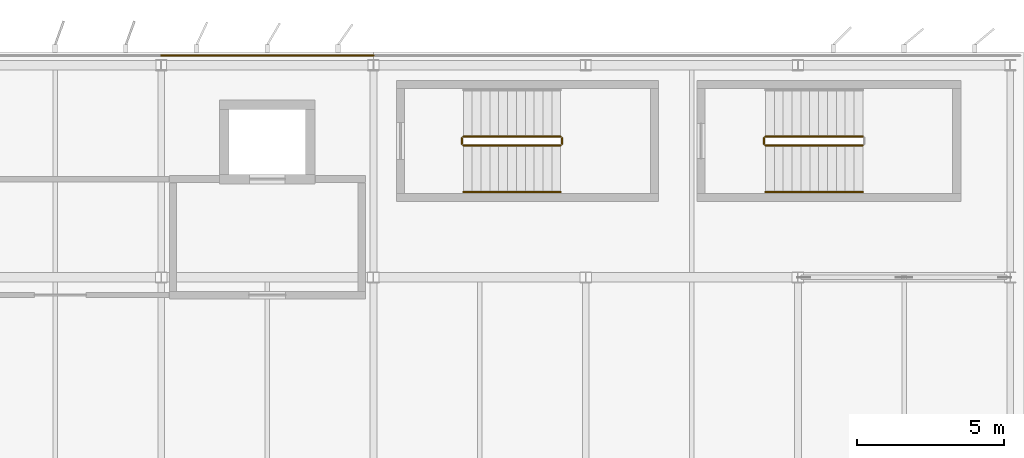
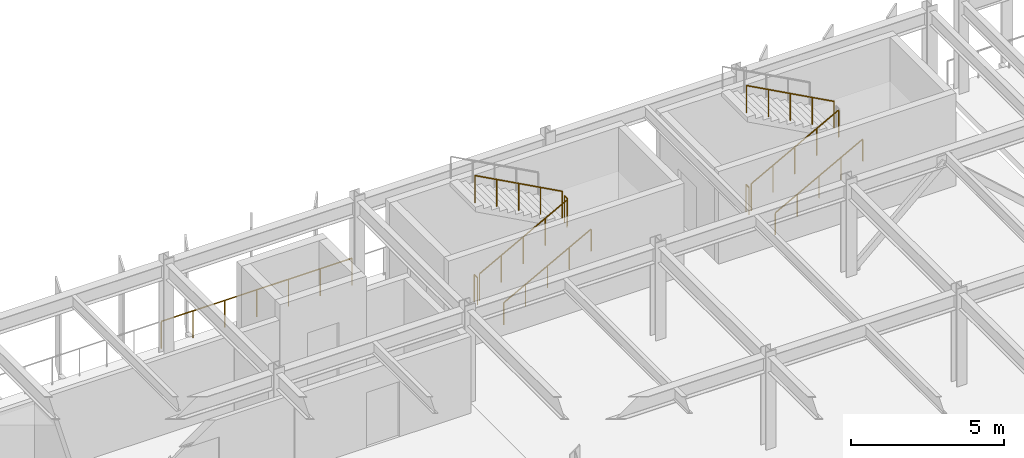
# One storey, part 68 of 80: 10 railings.
"""IFC4 building model written with IfcOpenShell, lengths in metres."""

from ifc_helpers import new_model, si_unit, direction, frame, origin, origin_2d, place, context, subcontext, project, spatial, circle, extrude, material, layer, layer_set, type_object, element, save


model = new_model("IFC4")

# Units and contexts
model_context = context("Model", 3, precision=1e-05, world=origin(), true_north=direction((0.0, 1.0)))
body_context = subcontext(model_context, "Body", "Model", "MODEL_VIEW")
ifc_project = project(units=[si_unit("LENGTHUNIT", "METRE"), si_unit("AREAUNIT", "SQUARE_METRE"), si_unit("VOLUMEUNIT", "CUBIC_METRE"), si_unit("PLANEANGLEUNIT", "RADIAN"), si_unit("MASSUNIT", "GRAM", prefix="KILO")], contexts=[model_context])

# Site, building, storey
site_placement = place(None, origin())
site = spatial("IfcSite", under=ifc_project, at=site_placement, CompositionType="ELEMENT")
building_placement = place(site_placement, origin())
building = spatial("IfcBuilding", under=site, at=building_placement, Name="Vaelcorin Mobility Hub", CompositionType="ELEMENT")
storey_placement = place(building_placement, frame((0.0, 0.0, 9.300048828125)))
storey = spatial("IfcBuildingStorey", under=building, at=storey_placement, Name="L02", CompositionType="ELEMENT", Elevation=9.300048828125)

# Railings
ifc_material_1 = material(Name="Galvanised structural steel ASTM A36", Category="steel")
ifc_layer_1 = layer(ifc_material_1, 0.070068359375)
ifc_layer_set_1 = layer_set([ifc_layer_1], Name="Galvanised structural steel ASTM A36")
railing_type_1 = type_object("IfcRailingType", Name="RL-GUARD-1100", PredefinedType="BALUSTRADE", material=ifc_layer_set_1)
railing_1_placement = place(storey_placement, frame((93.60009765625, 120.330078125, 0.0)))
element("IfcRailing", 1, at=railing_1_placement, inside=storey, type_object=railing_type_1, Name="L02 Perimeter Guard GR-V4-L02-N-09-01", PredefinedType="BALUSTRADE", context=body_context, shape_type="SweptSolid", body=[
    extrude(circle(Radius=0.02392578125, at=origin_2d()), frame((0.0, 0.0, 1.076171875), z_axis=(1.0, 0.0, 0.0), x_axis=(0.0, 1.0, 0.0)), (0.0, 0.0, 1.0), 7.199951171875),
    extrude(circle(Radius=0.02099609375, at=origin_2d()), origin(), (0.0, 0.0, 1.0), 1.052001953125),
    extrude(circle(Radius=0.02099609375, at=origin_2d()), frame((1.199951171875, 0.0, 0.0)), (0.0, 0.0, 1.0), 1.052001953125),
    extrude(circle(Radius=0.02099609375, at=origin_2d()), frame((2.39990234375, 0.0, 0.0)), (0.0, 0.0, 1.0), 1.052001953125),
    extrude(circle(Radius=0.02099609375, at=origin_2d()), frame((3.60009765625, 0.0, 0.0)), (0.0, 0.0, 1.0), 1.052001953125),
    extrude(circle(Radius=0.02099609375, at=origin_2d()), frame((4.800048828125, 0.0, 0.0)), (0.0, 0.0, 1.0), 1.052001953125),
    extrude(circle(Radius=0.02099609375, at=origin_2d()), frame((6.0, 0.0, 0.0)), (0.0, 0.0, 1.0), 1.052001953125),
    extrude(circle(Radius=0.02099609375, at=origin_2d()), frame((7.199951171875, 0.0, 0.0)), (0.0, 0.0, 1.0), 1.052001953125),
])
ifc_material_2 = material(Name="Brushed stainless steel 316L", Category="steel")
ifc_layer_2 = layer(ifc_material_2, 0.048095703125)
ifc_layer_set_2 = layer_set([ifc_layer_2], Name="Brushed stainless steel 316L")
railing_type_2 = type_object("IfcRailingType", Name="RL-STAIR-GRD", PredefinedType="GUARDRAIL", material=ifc_layer_set_2)
railing_2_placement = place(storey_placement, frame((103.85009765625, 117.280029296875, 0.162353515625)))
element("IfcRailing", 2, at=railing_2_placement, inside=storey, type_object=railing_type_2, Name="L02 ST4 stair guard 1", PredefinedType="GUARDRAIL", context=body_context, shape_type="SweptSolid", body=[
    extrude(circle(Radius=0.02392578125, at=origin_2d()), frame((0.0, 0.0, 1.076171875), z_axis=(0.879269262144, 0.0, 0.476325061958), x_axis=(0.0, 1.0, 0.0)), (0.0, 0.0, 1.0), 3.7529296875),
    extrude(circle(Radius=0.02099609375, at=origin_2d()), origin(), (0.0, 0.0, 1.0), 1.052001953125),
    extrude(circle(Radius=0.02099609375, at=origin_2d()), frame((0.824951171875, 0.0, 0.44677734375)), (0.0, 0.0, 1.0), 1.052001953125),
    extrude(circle(Radius=0.02099609375, at=origin_2d()), frame((1.64990234375, 0.0, 0.893798828125)), (0.0, 0.0, 1.0), 1.052001953125),
    extrude(circle(Radius=0.02099609375, at=origin_2d()), frame((2.474853515625, 0.0, 1.3408203125)), (0.0, 0.0, 1.0), 1.052001953125),
    extrude(circle(Radius=0.02099609375, at=origin_2d()), frame((3.2998046875, 0.0, 1.78759765625)), (0.0, 0.0, 1.0), 1.052001953125),
])
railing_3_placement = place(storey_placement, frame((107.199951171875, 117.330078125, 1.949951171875)))
element("IfcRailing", 3, at=railing_3_placement, inside=storey, type_object=railing_type_2, Name="L02 ST4 stair guard 2", PredefinedType="GUARDRAIL", context=body_context, shape_type="SweptSolid", body=[
    extrude(circle(Radius=0.02392578125, at=origin_2d()), frame((0.0, 0.0, 1.076171875), z_axis=(0.0, 1.0, 0.0), x_axis=(-1.0, 0.0, 0.0)), (0.0, 0.0, 1.0), 0.199951171875),
    extrude(circle(Radius=0.02099609375, at=origin_2d()), origin(), (0.0, 0.0, 1.0), 1.052001953125),
    extrude(circle(Radius=0.02099609375, at=origin_2d()), frame((0.0, 0.199951171875, 0.0)), (0.0, 0.0, 1.0), 1.052001953125),
])
railing_4_placement = place(storey_placement, frame((107.14990234375, 117.580078125, 2.112548828125)))
element("IfcRailing", 4, at=railing_4_placement, inside=storey, type_object=railing_type_2, Name="L02 ST4 stair guard 3", PredefinedType="GUARDRAIL", context=body_context, shape_type="SweptSolid", body=[
    extrude(circle(Radius=0.02392578125, at=origin_2d()), frame((0.0, 0.0, 1.076171875), z_axis=(-0.879296507316, 0.0, 0.476274765468), x_axis=(0.0, -1.0, 0.0)), (0.0, 0.0, 1.0), 3.752685546875),
    extrude(circle(Radius=0.02099609375, at=origin_2d()), origin(), (0.0, 0.0, 1.0), 1.052001953125),
    extrude(circle(Radius=0.02099609375, at=origin_2d()), frame((-0.824951171875, 0.0, 0.44677734375)), (0.0, 0.0, 1.0), 1.052001953125),
    extrude(circle(Radius=0.02099609375, at=origin_2d()), frame((-1.64990234375, 0.0, 0.8935546875)), (0.0, 0.0, 1.0), 1.052001953125),
    extrude(circle(Radius=0.02099609375, at=origin_2d()), frame((-2.474853515625, 0.0, 1.340576171875)), (0.0, 0.0, 1.0), 1.052001953125),
    extrude(circle(Radius=0.02099609375, at=origin_2d()), frame((-3.2998046875, 0.0, 1.787353515625)), (0.0, 0.0, 1.0), 1.052001953125),
])
railing_5_placement = place(storey_placement, frame((103.800048828125, 117.330078125, 0.0)))
element("IfcRailing", 5, at=railing_5_placement, inside=storey, type_object=railing_type_2, Name="L02 ST4 stair guard 4", PredefinedType="GUARDRAIL", context=body_context, shape_type="SweptSolid", body=[
    extrude(circle(Radius=0.02392578125, at=origin_2d()), frame((0.0, 0.0, 1.076171875), z_axis=(0.0, 1.0, 0.0), x_axis=(-1.0, 0.0, 0.0)), (0.0, 0.0, 1.0), 0.199951171875),
    extrude(circle(Radius=0.02099609375, at=origin_2d()), origin(), (0.0, 0.0, 1.0), 1.052001953125),
    extrude(circle(Radius=0.02099609375, at=origin_2d()), frame((0.0, 0.199951171875, 0.0)), (0.0, 0.0, 1.0), 1.052001953125),
])
railing_6_placement = place(storey_placement, frame((114.10009765625, 117.280029296875, 0.162353515625)))
element("IfcRailing", 6, at=railing_6_placement, inside=storey, type_object=railing_type_2, Name="L02 ST9 stair guard 1", PredefinedType="GUARDRAIL", context=body_context, shape_type="SweptSolid", body=[
    extrude(circle(Radius=0.02392578125, at=origin_2d()), frame((0.0, 0.0, 1.076171875), z_axis=(0.879269262144, 0.0, 0.476325061958), x_axis=(0.0, 1.0, 0.0)), (0.0, 0.0, 1.0), 3.7529296875),
    extrude(circle(Radius=0.02099609375, at=origin_2d()), origin(), (0.0, 0.0, 1.0), 1.052001953125),
    extrude(circle(Radius=0.02099609375, at=origin_2d()), frame((0.824951171875, 0.0, 0.44677734375)), (0.0, 0.0, 1.0), 1.052001953125),
    extrude(circle(Radius=0.02099609375, at=origin_2d()), frame((1.64990234375, 0.0, 0.893798828125)), (0.0, 0.0, 1.0), 1.052001953125),
    extrude(circle(Radius=0.02099609375, at=origin_2d()), frame((2.474853515625, 0.0, 1.3408203125)), (0.0, 0.0, 1.0), 1.052001953125),
    extrude(circle(Radius=0.02099609375, at=origin_2d()), frame((3.2998046875, 0.0, 1.78759765625)), (0.0, 0.0, 1.0), 1.052001953125),
])
railing_7_placement = place(storey_placement, frame((117.39990234375, 117.580078125, 2.112548828125)))
element("IfcRailing", 7, at=railing_7_placement, inside=storey, type_object=railing_type_2, Name="L02 ST9 stair guard 3", PredefinedType="GUARDRAIL", context=body_context, shape_type="SweptSolid", body=[
    extrude(circle(Radius=0.02392578125, at=origin_2d()), frame((0.0, 0.0, 1.076171875), z_axis=(-0.879296507316, 0.0, 0.476274765468), x_axis=(0.0, -1.0, 0.0)), (0.0, 0.0, 1.0), 3.752685546875),
    extrude(circle(Radius=0.02099609375, at=origin_2d()), origin(), (0.0, 0.0, 1.0), 1.052001953125),
    extrude(circle(Radius=0.02099609375, at=origin_2d()), frame((-0.824951171875, 0.0, 0.44677734375)), (0.0, 0.0, 1.0), 1.052001953125),
    extrude(circle(Radius=0.02099609375, at=origin_2d()), frame((-1.64990234375, 0.0, 0.8935546875)), (0.0, 0.0, 1.0), 1.052001953125),
    extrude(circle(Radius=0.02099609375, at=origin_2d()), frame((-2.474853515625, 0.0, 1.340576171875)), (0.0, 0.0, 1.0), 1.052001953125),
    extrude(circle(Radius=0.02099609375, at=origin_2d()), frame((-3.2998046875, 0.0, 1.787353515625)), (0.0, 0.0, 1.0), 1.052001953125),
])
railing_8_placement = place(storey_placement, frame((114.050048828125, 117.330078125, 0.0)))
element("IfcRailing", 8, at=railing_8_placement, inside=storey, type_object=railing_type_2, Name="L02 ST9 stair guard 4", PredefinedType="GUARDRAIL", context=body_context, shape_type="SweptSolid", body=[
    extrude(circle(Radius=0.02392578125, at=origin_2d()), frame((0.0, 0.0, 1.076171875), z_axis=(0.0, 1.0, 0.0), x_axis=(-1.0, 0.0, 0.0)), (0.0, 0.0, 1.0), 0.199951171875),
    extrude(circle(Radius=0.02099609375, at=origin_2d()), origin(), (0.0, 0.0, 1.0), 1.052001953125),
    extrude(circle(Radius=0.02099609375, at=origin_2d()), frame((0.0, 0.199951171875, 0.0)), (0.0, 0.0, 1.0), 1.052001953125),
])
ifc_layer_3 = layer(ifc_material_2, 0.048095703125)
ifc_layer_set_3 = layer_set([ifc_layer_3], Name="Brushed stainless steel 316L")
railing_type_3 = type_object("IfcRailingType", Name="RL-STAIR-HR", PredefinedType="HANDRAIL", material=ifc_layer_set_3)
for number, where, name in (
    (9, (103.85009765625, 115.699951171875, 0.162353515625), "L02 ST4 stair handrail 1"),
    (10, (114.10009765625, 115.699951171875, 0.162353515625), "L02 ST9 stair handrail 1"),
):
    element("IfcRailing", number, at=place(storey_placement, frame(where)), inside=storey, type_object=railing_type_3, Name=name, PredefinedType="HANDRAIL", context=body_context, shape_type="SweptSolid", body=[
        extrude(circle(Radius=0.02392578125, at=origin_2d()), frame((0.0, 0.0, 0.8759765625), z_axis=(0.879269262144, 0.0, 0.476325061958), x_axis=(0.0, 1.0, 0.0)), (0.0, 0.0, 1.0), 3.7529296875),
        extrude(circle(Radius=0.02099609375, at=origin_2d()), origin(), (0.0, 0.0, 1.0), 0.851806640625),
        extrude(circle(Radius=0.02099609375, at=origin_2d()), frame((0.824951171875, 0.0, 0.44677734375)), (0.0, 0.0, 1.0), 0.851806640625),
        extrude(circle(Radius=0.02099609375, at=origin_2d()), frame((1.64990234375, 0.0, 0.893798828125)), (0.0, 0.0, 1.0), 0.851806640625),
        extrude(circle(Radius=0.02099609375, at=origin_2d()), frame((2.474853515625, 0.0, 1.3408203125)), (0.0, 0.0, 1.0), 0.851806640625),
        extrude(circle(Radius=0.02099609375, at=origin_2d()), frame((3.2998046875, 0.0, 1.78759765625)), (0.0, 0.0, 1.0), 0.851806640625),
    ])

save(model, "model.ifc")
